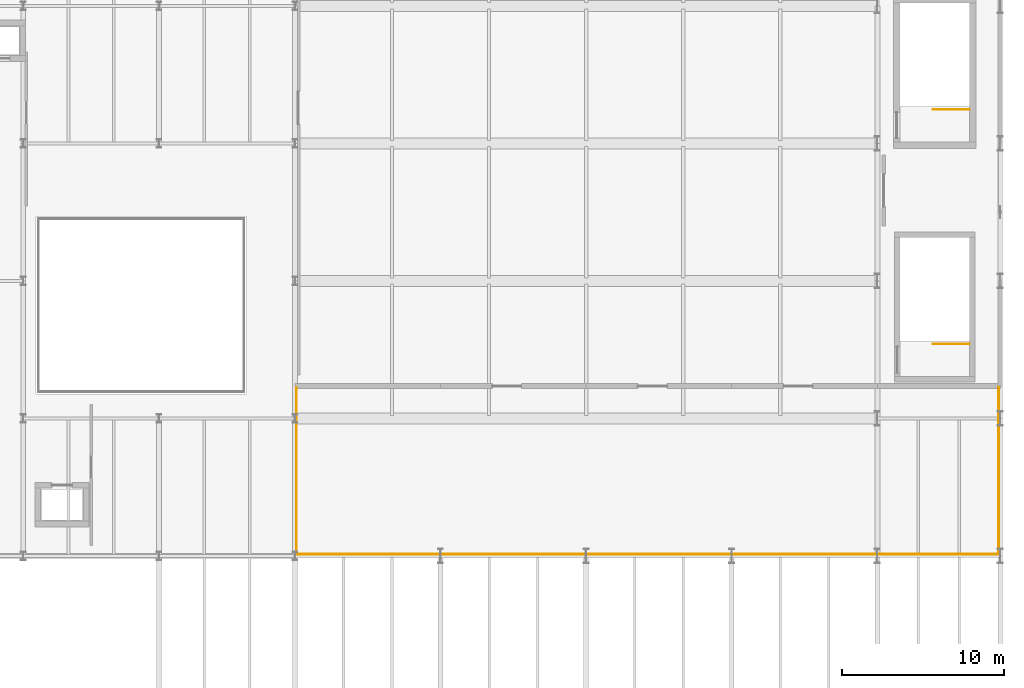
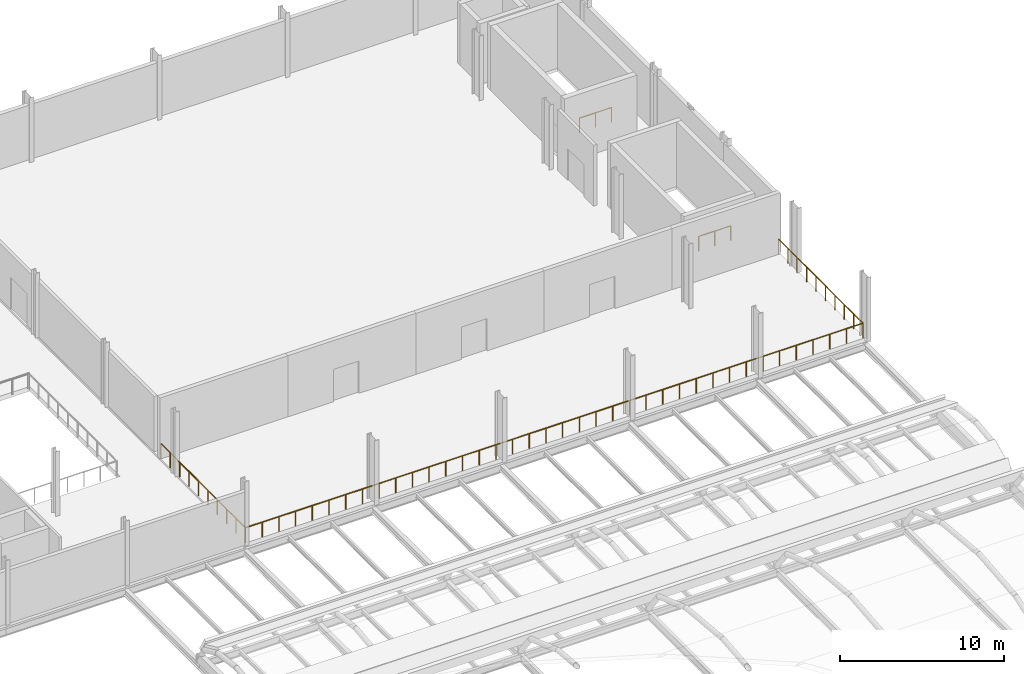
# One storey, part 63 of 63: 5 railings.
"""IFC4 building model written with IfcOpenShell, lengths in metres."""

from ifc_helpers import new_model, si_unit, direction, frame, origin, origin_2d, place, context, subcontext, project, spatial, circle, extrude, material, type_object, element, save


model = new_model("IFC4")

# Units and contexts
model_context = context("Model", 3, precision=1e-05, world=origin(), true_north=direction((0.0, 1.0)))
body_context = subcontext(model_context, "Body", "Model", "MODEL_VIEW")
ifc_project = project(units=[si_unit("LENGTHUNIT", "METRE"), si_unit("AREAUNIT", "SQUARE_METRE"), si_unit("VOLUMEUNIT", "CUBIC_METRE"), si_unit("PLANEANGLEUNIT", "RADIAN"), si_unit("MASSUNIT", "GRAM", prefix="KILO")], contexts=[model_context])

# Site, building, storey
site_placement = place(None, origin())
site = spatial("IfcSite", under=ifc_project, at=site_placement, CompositionType="ELEMENT")
building_placement = place(site_placement, origin())
building = spatial("IfcBuilding", under=site, at=building_placement, Name="Sefraquen Railside Congress Hotel", CompositionType="ELEMENT")
storey_placement = place(building_placement, frame((0.0, 0.0, 11.39990234375)))
storey = spatial("IfcBuildingStorey", under=building, at=storey_placement, Name="L02", CompositionType="ELEMENT", Elevation=11.39990234375)

# Railings
ifc_material = material(Name="Patinated wrought architectural bronze", Category="metal")
railing_type = type_object("IfcRailingType", Name="TRL-BAL-110", PredefinedType="BALUSTRADE", material=ifc_material)
railing_1_placement = place(storey_placement, frame((128.5, 64.39990234375, 0.0)))
element("IfcRailing", 1, at=railing_1_placement, inside=storey, type_object=railing_type, Name="Planted roof garden perimeter balustrade", PredefinedType="BALUSTRADE", context=body_context, shape_type="SweptSolid", body=[
    extrude(circle(Radius=0.02392578125, at=origin_2d()), frame((0.0, 0.0, 1.09619140625), z_axis=(0.0, -1.0, 0.0), x_axis=(1.0, 0.0, 0.0)), (0.0, 0.0, 1.0), 10.2998046875),
    extrude(circle(Radius=0.02099609375, at=origin_2d()), origin(), (0.0, 0.0, 1.0), 1.072021484375),
    extrude(circle(Radius=0.02099609375, at=origin_2d()), frame((0.0, -1.14453125, 0.0)), (0.0, 0.0, 1.0), 1.072021484375),
    extrude(circle(Radius=0.02099609375, at=origin_2d()), frame((0.0, -2.288818359375, 0.0)), (0.0, 0.0, 1.0), 1.072021484375),
    extrude(circle(Radius=0.02099609375, at=origin_2d()), frame((0.0, -3.433349609375, 0.0)), (0.0, 0.0, 1.0), 1.072021484375),
    extrude(circle(Radius=0.02099609375, at=origin_2d()), frame((0.0, -4.57763671875, 0.0)), (0.0, 0.0, 1.0), 1.072021484375),
    extrude(circle(Radius=0.02099609375, at=origin_2d()), frame((0.0, -5.72216796875, 0.0)), (0.0, 0.0, 1.0), 1.072021484375),
    extrude(circle(Radius=0.02099609375, at=origin_2d()), frame((0.0, -6.866455078125, 0.0)), (0.0, 0.0, 1.0), 1.072021484375),
    extrude(circle(Radius=0.02099609375, at=origin_2d()), frame((0.0, -8.010986328125, 0.0)), (0.0, 0.0, 1.0), 1.072021484375),
    extrude(circle(Radius=0.02099609375, at=origin_2d()), frame((0.0, -9.1552734375, 0.0)), (0.0, 0.0, 1.0), 1.072021484375),
    extrude(circle(Radius=0.02099609375, at=origin_2d()), frame((0.0, -10.2998046875, 0.0)), (0.0, 0.0, 1.0), 1.072021484375),
])
railing_2_placement = place(storey_placement, frame((128.5, 54.10009765625, 0.0)))
element("IfcRailing", 2, at=railing_2_placement, inside=storey, type_object=railing_type, Name="Planted roof garden perimeter balustrade", PredefinedType="BALUSTRADE", context=body_context, shape_type="SweptSolid", body=[
    extrude(circle(Radius=0.02392578125, at=origin_2d()), frame((0.0, 0.0, 1.09619140625), z_axis=(1.0, 0.0, 0.0), x_axis=(0.0, 1.0, 0.0)), (0.0, 0.0, 1.0), 43.39990234375),
    extrude(circle(Radius=0.02099609375, at=origin_2d()), origin(), (0.0, 0.0, 1.0), 1.072021484375),
    extrude(circle(Radius=0.02099609375, at=origin_2d()), frame((1.1728515625, 0.0, 0.0)), (0.0, 0.0, 1.0), 1.072021484375),
    extrude(circle(Radius=0.02099609375, at=origin_2d()), frame((2.345947265625, 0.0, 0.0)), (0.0, 0.0, 1.0), 1.072021484375),
    extrude(circle(Radius=0.02099609375, at=origin_2d()), frame((3.518798828125, 0.0, 0.0)), (0.0, 0.0, 1.0), 1.072021484375),
    extrude(circle(Radius=0.02099609375, at=origin_2d()), frame((4.69189453125, 0.0, 0.0)), (0.0, 0.0, 1.0), 1.072021484375),
    extrude(circle(Radius=0.02099609375, at=origin_2d()), frame((5.86474609375, 0.0, 0.0)), (0.0, 0.0, 1.0), 1.072021484375),
    extrude(circle(Radius=0.02099609375, at=origin_2d()), frame((7.037841796875, 0.0, 0.0)), (0.0, 0.0, 1.0), 1.072021484375),
    extrude(circle(Radius=0.02099609375, at=origin_2d()), frame((8.210693359375, 0.0, 0.0)), (0.0, 0.0, 1.0), 1.072021484375),
    extrude(circle(Radius=0.02099609375, at=origin_2d()), frame((9.3837890625, 0.0, 0.0)), (0.0, 0.0, 1.0), 1.072021484375),
    extrude(circle(Radius=0.02099609375, at=origin_2d()), frame((10.556640625, 0.0, 0.0)), (0.0, 0.0, 1.0), 1.072021484375),
    extrude(circle(Radius=0.02099609375, at=origin_2d()), frame((11.729736328125, 0.0, 0.0)), (0.0, 0.0, 1.0), 1.072021484375),
    extrude(circle(Radius=0.02099609375, at=origin_2d()), frame((12.902587890625, 0.0, 0.0)), (0.0, 0.0, 1.0), 1.072021484375),
    extrude(circle(Radius=0.02099609375, at=origin_2d()), frame((14.07568359375, 0.0, 0.0)), (0.0, 0.0, 1.0), 1.072021484375),
    extrude(circle(Radius=0.02099609375, at=origin_2d()), frame((15.24853515625, 0.0, 0.0)), (0.0, 0.0, 1.0), 1.072021484375),
    extrude(circle(Radius=0.02099609375, at=origin_2d()), frame((16.421630859375, 0.0, 0.0)), (0.0, 0.0, 1.0), 1.072021484375),
    extrude(circle(Radius=0.02099609375, at=origin_2d()), frame((17.594482421875, 0.0, 0.0)), (0.0, 0.0, 1.0), 1.072021484375),
    extrude(circle(Radius=0.02099609375, at=origin_2d()), frame((18.767578125, 0.0, 0.0)), (0.0, 0.0, 1.0), 1.072021484375),
    extrude(circle(Radius=0.02099609375, at=origin_2d()), frame((19.9404296875, 0.0, 0.0)), (0.0, 0.0, 1.0), 1.072021484375),
    extrude(circle(Radius=0.02099609375, at=origin_2d()), frame((21.113525390625, 0.0, 0.0)), (0.0, 0.0, 1.0), 1.072021484375),
    extrude(circle(Radius=0.02099609375, at=origin_2d()), frame((22.286376953125, 0.0, 0.0)), (0.0, 0.0, 1.0), 1.072021484375),
    extrude(circle(Radius=0.02099609375, at=origin_2d()), frame((23.45947265625, 0.0, 0.0)), (0.0, 0.0, 1.0), 1.072021484375),
    extrude(circle(Radius=0.02099609375, at=origin_2d()), frame((24.63232421875, 0.0, 0.0)), (0.0, 0.0, 1.0), 1.072021484375),
    extrude(circle(Radius=0.02099609375, at=origin_2d()), frame((25.805419921875, 0.0, 0.0)), (0.0, 0.0, 1.0), 1.072021484375),
    extrude(circle(Radius=0.02099609375, at=origin_2d()), frame((26.978271484375, 0.0, 0.0)), (0.0, 0.0, 1.0), 1.072021484375),
    extrude(circle(Radius=0.02099609375, at=origin_2d()), frame((28.1513671875, 0.0, 0.0)), (0.0, 0.0, 1.0), 1.072021484375),
    extrude(circle(Radius=0.02099609375, at=origin_2d()), frame((29.32421875, 0.0, 0.0)), (0.0, 0.0, 1.0), 1.072021484375),
    extrude(circle(Radius=0.02099609375, at=origin_2d()), frame((30.497314453125, 0.0, 0.0)), (0.0, 0.0, 1.0), 1.072021484375),
    extrude(circle(Radius=0.02099609375, at=origin_2d()), frame((31.670166015625, 0.0, 0.0)), (0.0, 0.0, 1.0), 1.072021484375),
    extrude(circle(Radius=0.02099609375, at=origin_2d()), frame((32.84326171875, 0.0, 0.0)), (0.0, 0.0, 1.0), 1.072021484375),
    extrude(circle(Radius=0.02099609375, at=origin_2d()), frame((34.01611328125, 0.0, 0.0)), (0.0, 0.0, 1.0), 1.072021484375),
    extrude(circle(Radius=0.02099609375, at=origin_2d()), frame((35.189208984375, 0.0, 0.0)), (0.0, 0.0, 1.0), 1.072021484375),
    extrude(circle(Radius=0.02099609375, at=origin_2d()), frame((36.362060546875, 0.0, 0.0)), (0.0, 0.0, 1.0), 1.072021484375),
    extrude(circle(Radius=0.02099609375, at=origin_2d()), frame((37.53515625, 0.0, 0.0)), (0.0, 0.0, 1.0), 1.072021484375),
    extrude(circle(Radius=0.02099609375, at=origin_2d()), frame((38.7080078125, 0.0, 0.0)), (0.0, 0.0, 1.0), 1.072021484375),
    extrude(circle(Radius=0.02099609375, at=origin_2d()), frame((39.881103515625, 0.0, 0.0)), (0.0, 0.0, 1.0), 1.072021484375),
    extrude(circle(Radius=0.02099609375, at=origin_2d()), frame((41.053955078125, 0.0, 0.0)), (0.0, 0.0, 1.0), 1.072021484375),
    extrude(circle(Radius=0.02099609375, at=origin_2d()), frame((42.22705078125, 0.0, 0.0)), (0.0, 0.0, 1.0), 1.072021484375),
    extrude(circle(Radius=0.02099609375, at=origin_2d()), frame((43.39990234375, 0.0, 0.0)), (0.0, 0.0, 1.0), 1.072021484375),
])
railing_3_placement = place(storey_placement, frame((171.89990234375, 54.10009765625, 0.0)))
element("IfcRailing", 3, at=railing_3_placement, inside=storey, type_object=railing_type, Name="Planted roof garden perimeter balustrade", PredefinedType="BALUSTRADE", context=body_context, shape_type="SweptSolid", body=[
    extrude(circle(Radius=0.02392578125, at=origin_2d()), frame((0.0, 0.0, 1.09619140625), z_axis=(0.0, 1.0, 0.0), x_axis=(-1.0, 0.0, 0.0)), (0.0, 0.0, 1.0), 10.2998046875),
    extrude(circle(Radius=0.02099609375, at=origin_2d()), origin(), (0.0, 0.0, 1.0), 1.072021484375),
    extrude(circle(Radius=0.02099609375, at=origin_2d()), frame((0.0, 1.14453125, 0.0)), (0.0, 0.0, 1.0), 1.072021484375),
    extrude(circle(Radius=0.02099609375, at=origin_2d()), frame((0.0, 2.288818359375, 0.0)), (0.0, 0.0, 1.0), 1.072021484375),
    extrude(circle(Radius=0.02099609375, at=origin_2d()), frame((0.0, 3.433349609375, 0.0)), (0.0, 0.0, 1.0), 1.072021484375),
    extrude(circle(Radius=0.02099609375, at=origin_2d()), frame((0.0, 4.57763671875, 0.0)), (0.0, 0.0, 1.0), 1.072021484375),
    extrude(circle(Radius=0.02099609375, at=origin_2d()), frame((0.0, 5.72216796875, 0.0)), (0.0, 0.0, 1.0), 1.072021484375),
    extrude(circle(Radius=0.02099609375, at=origin_2d()), frame((0.0, 6.866455078125, 0.0)), (0.0, 0.0, 1.0), 1.072021484375),
    extrude(circle(Radius=0.02099609375, at=origin_2d()), frame((0.0, 8.010986328125, 0.0)), (0.0, 0.0, 1.0), 1.072021484375),
    extrude(circle(Radius=0.02099609375, at=origin_2d()), frame((0.0, 9.1552734375, 0.0)), (0.0, 0.0, 1.0), 1.072021484375),
    extrude(circle(Radius=0.02099609375, at=origin_2d()), frame((0.0, 10.2998046875, 0.0)), (0.0, 0.0, 1.0), 1.072021484375),
])
for number, where, name in (
    (4, (170.10009765625, 81.60009765625, 0.0), "L02 ST-B01 top well guard 1"),
    (5, (170.10009765625, 67.10009765625, 0.0), "L02 ST-B02 top well guard 1"),
):
    element("IfcRailing", number, at=place(storey_placement, frame(where)), inside=storey, type_object=railing_type, Name=name, PredefinedType="BALUSTRADE", context=body_context, shape_type="SweptSolid", body=[
        extrude(circle(Radius=0.02392578125, at=origin_2d()), frame((0.0, 0.0, 1.076171875), z_axis=(-1.0, 0.0, 0.0), x_axis=(0.0, -1.0, 0.0)), (0.0, 0.0, 1.0), 2.25),
        extrude(circle(Radius=0.02099609375, at=origin_2d()), origin(), (0.0, 0.0, 1.0), 1.052001953125),
        extrude(circle(Radius=0.02099609375, at=origin_2d()), frame((-1.125, 0.0, 0.0)), (0.0, 0.0, 1.0), 1.052001953125),
        extrude(circle(Radius=0.02099609375, at=origin_2d()), frame((-2.25, 0.0, 0.0)), (0.0, 0.0, 1.0), 1.052001953125),
    ])

save(model, "model.ifc")
